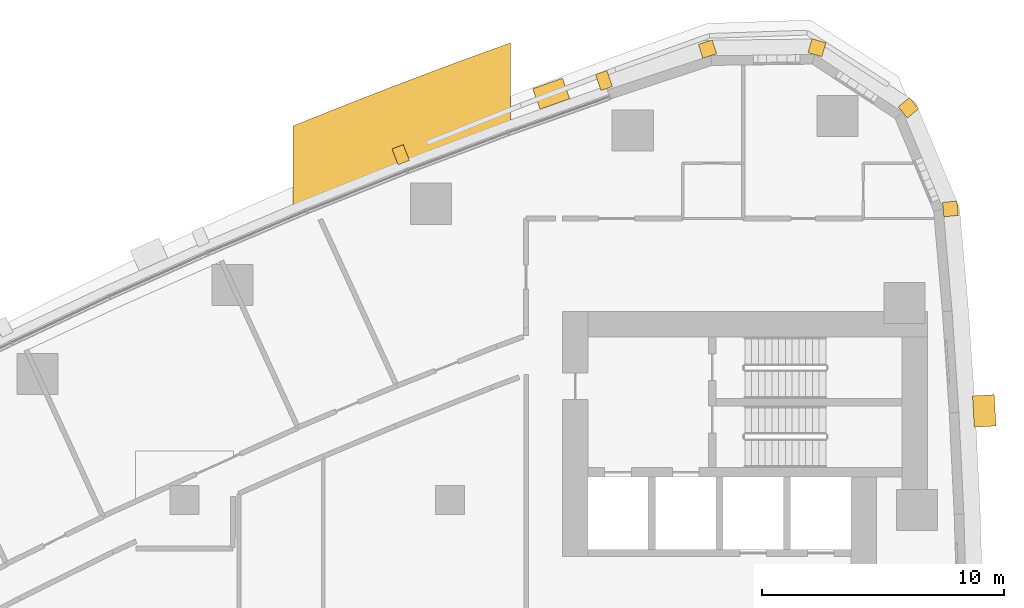
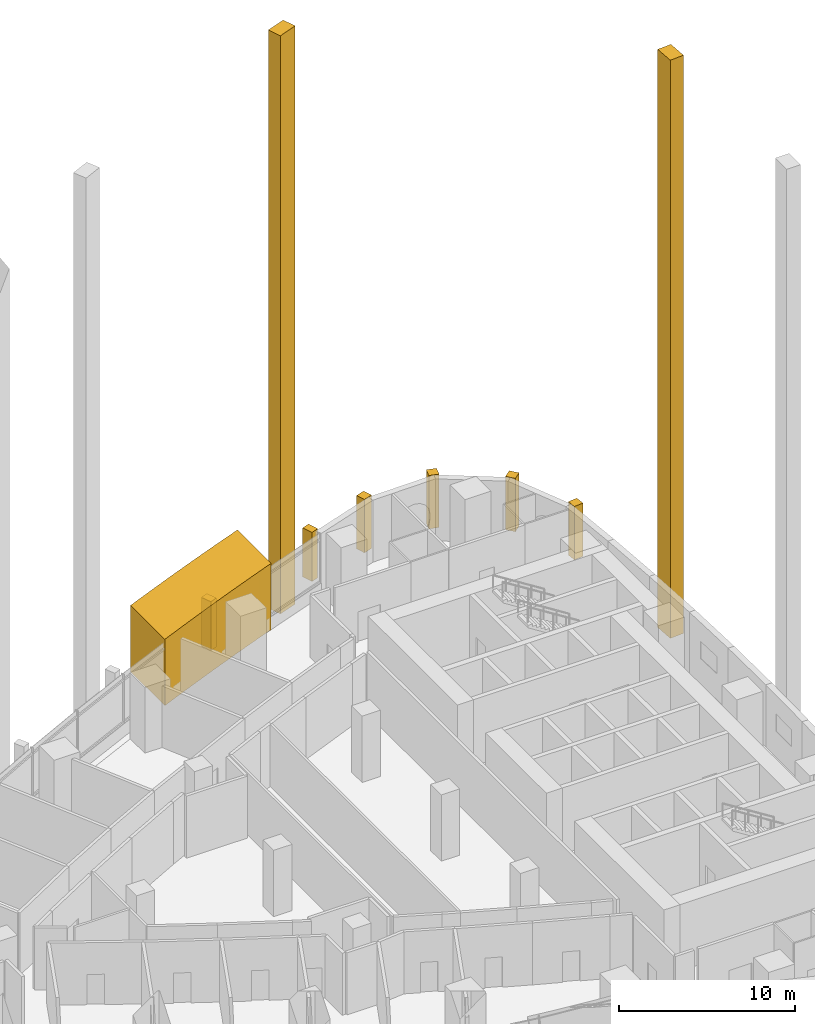
# One storey, part 17 of 17: 9 coverings.
"""IFC4 building model written with IfcOpenShell, lengths in metres."""

from ifc_helpers import new_model, si_unit, direction, frame, frame_2d, origin, place, context, subcontext, project, spatial, polyline, rectangle, outline, extrude, material, layer, layer_set, type_object, element, save


model = new_model("IFC4")

# Units and contexts
model_context = context("Model", 3, precision=1e-05, world=origin(), true_north=direction((0.0, 1.0)))
body_context = subcontext(model_context, "Body", "Model", "MODEL_VIEW")
ifc_project = project(units=[si_unit("LENGTHUNIT", "METRE"), si_unit("AREAUNIT", "SQUARE_METRE"), si_unit("VOLUMEUNIT", "CUBIC_METRE"), si_unit("PLANEANGLEUNIT", "RADIAN"), si_unit("MASSUNIT", "GRAM", prefix="KILO")], contexts=[model_context])

# Site, building, storey
site_placement = place(None, origin())
site = spatial("IfcSite", under=ifc_project, at=site_placement, CompositionType="ELEMENT")
building_placement = place(site_placement, origin())
building = spatial("IfcBuilding", under=site, at=building_placement, Name="Ostrand Prow Hotel Tower", CompositionType="ELEMENT")
storey_placement = place(building_placement, frame((0.0, 0.0, 80.300048828125)))
storey = spatial("IfcBuildingStorey", under=building, at=storey_placement, Name="L18", CompositionType="ELEMENT", Elevation=80.300048828125)

# Coverings
ifc_material_1 = material(Name="Limestone cladding", Category="masonry")
ifc_layer_1 = layer(ifc_material_1, 5.0)
ifc_layer_set_1 = layer_set([ifc_layer_1], Name="Limestone cladding")
covering_type_1 = type_object("IfcCoveringType", Name="Portal jamb pilaster limestone", PredefinedType="CLADDING", material=ifc_layer_set_1)
covering_1_placement = place(storey_placement, origin())
element("IfcCovering", 1, at=covering_1_placement, inside=storey, type_object=covering_type_1, Name="Portal jamb NB L18", PredefinedType="CLADDING", context=body_context, shape_type="SweptSolid", body=[
    extrude(outline(polyline([(38.5, 20.59423828125), (39.5, 21.006103515625), (40.5, 21.412353515625), (41.5, 21.812744140625), (42.5, 22.207763671875), (43.5, 22.59716796875), (44.5, 22.98095703125), (45.5, 23.359130859375), (46.5, 23.732177734375), (47.5, 24.099609375), (47.5, 27.927490234375), (46.5, 27.566650390625), (45.5, 27.200439453125), (44.5, 26.8291015625), (43.5, 26.4521484375), (42.5, 26.06982421875), (41.5, 25.68212890625), (40.5, 25.2890625), (39.5, 24.890380859375), (38.5, 24.486083984375), (38.5, 20.59423828125)])), origin(), (0.0, 0.0, 1.0), 4.599853515625),
])
ifc_material_2 = material(Name="Limestone cladding", Category="masonry")
ifc_layer_2 = layer(ifc_material_2, 1.300048828125)
ifc_layer_set_2 = layer_set([ifc_layer_2], Name="Limestone cladding")
covering_type_2 = type_object("IfcCoveringType", Name="Precast stone fin 1300x1500", PredefinedType="CLADDING", material=ifc_layer_set_2)
for number, where, z_axis, x_axis, name in (
    (2, (49.3369140625, 25.39697265625, 0.0), (0.0, 0.0, 1.0), (-0.33343026906, 0.942774764021, 0.0), "Stone fin N zone 2 1"),
    (3, (66.666748046875, 12.659912109375, 0.0), (0.0, 0.0, 1.0), (0.99829767992, 0.058324456843, 0.0), "Stone fin back zone 2 13"),
):
    element("IfcCovering", number, at=place(storey_placement, frame(where, z_axis=z_axis, x_axis=x_axis)), inside=storey, type_object=covering_type_2, Name=name, PredefinedType="CLADDING", context=body_context, shape_type="SweptSolid", body=[
        extrude(rectangle(XDim=0.89990234375, YDim=1.300048828125, at=frame_2d((0.449951171875, 0.0))), origin(), (0.0, 0.0, 1.0), 40.099853515625),
    ])
ifc_material_3 = material(Name="Limestone cladding", Category="masonry")
ifc_layer_3 = layer(ifc_material_3, 0.5)
ifc_layer_set_3 = layer_set([ifc_layer_3], Name="Limestone cladding")
covering_type_3 = type_object("IfcCoveringType", Name="Precast stone fin 500x600", PredefinedType="CLADDING", material=ifc_layer_set_3)
for number, where, z_axis, x_axis, name in (
    (4, (51.482666015625, 26.0380859375, 0.89990234375), (0.0, 0.0, 1.0), (-0.324065681594, 0.946034583941, 0.0), "Stone fin N 1"),
    (5, (43.0791015625, 22.97021484375, 0.89990234375), (0.0, 0.0, 1.0), (-0.36199182799, 0.932181268031, 0.0), "Stone fin N 3"),
):
    element("IfcCovering", number, at=place(storey_placement, frame(where, z_axis=z_axis, x_axis=x_axis)), inside=storey, type_object=covering_type_3, Name=name, PredefinedType="CLADDING", context=body_context, shape_type="SweptSolid", body=[
        extrude(rectangle(XDim=0.699951171875, YDim=0.5, at=frame_2d((0.35009765625, 0.0))), origin(), (0.0, 0.0, 1.0), 3.400146484375),
    ])
ifc_material_4 = material(Name="Limestone cladding", Category="masonry")
ifc_layer_4 = layer(ifc_material_4, 0.60009765625)
ifc_layer_set_4 = layer_set([ifc_layer_4], Name="Limestone cladding")
covering_type_4 = type_object("IfcCoveringType", Name="Precast stone prow rib 600x600", PredefinedType="CLADDING", material=ifc_layer_set_4)
for number, where, z_axis, x_axis, name in (
    (6, (65.41650390625, 21.02099609375, 0.599853515625), (0.0, 0.0, 1.0), (0.99529571972, 0.096883591531, 0.0), "Stone corner rib 15a"),
    (7, (63.74365234375, 25.043212890625, 0.599853515625), (0.0, 0.0, 1.0), (0.770318500913, 0.637659319034, 0.0), "Stone corner rib 16a"),
):
    element("IfcCovering", number, at=place(storey_placement, frame(where, z_axis=z_axis, x_axis=x_axis)), inside=storey, type_object=covering_type_4, Name=name, PredefinedType="CLADDING", context=body_context, shape_type="SweptSolid", body=[
        extrude(rectangle(XDim=0.599853515625, YDim=0.60009765625, at=frame_2d((0.2998046875, 0.0))), origin(), (0.0, 0.0, 1.0), 3.7001953125),
    ])
covering_2_placement = place(storey_placement, frame((60.104736328125, 27.437744140625, 0.599853515625), z_axis=(0.0, 0.0, 1.0), x_axis=(0.280734221166, 0.959785547436, 0.0)))
element("IfcCovering", 8, at=covering_2_placement, inside=storey, type_object=covering_type_4, Name="Stone corner rib 17a", PredefinedType="CLADDING", context=body_context, shape_type="SweptSolid", body=[
    extrude(rectangle(XDim=0.60009765625, YDim=0.60009765625, at=frame_2d((0.300048828125, 0.0))), origin(), (0.0, 0.0, 1.0), 3.7001953125),
])
covering_3_placement = place(storey_placement, frame((55.7490234375, 27.3828125, 0.599853515625), z_axis=(0.0, 0.0, 1.0), x_axis=(-0.305218682065, 0.952282288042, 0.0)))
element("IfcCovering", 9, at=covering_3_placement, inside=storey, type_object=covering_type_4, Name="Stone corner rib 17b", PredefinedType="CLADDING", context=body_context, shape_type="SweptSolid", body=[
    extrude(rectangle(XDim=0.599853515625, YDim=0.60009765625, at=frame_2d((0.2998046875, 0.0))), origin(), (0.0, 0.0, 1.0), 3.7001953125),
])

save(model, "model.ifc")
